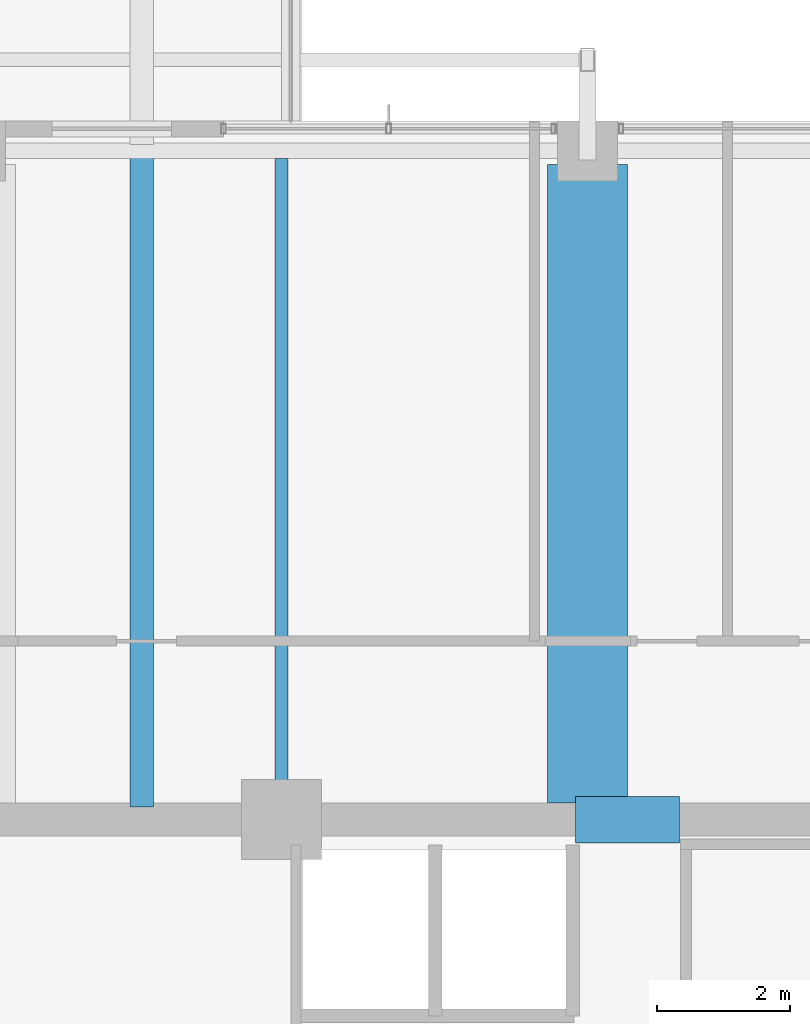
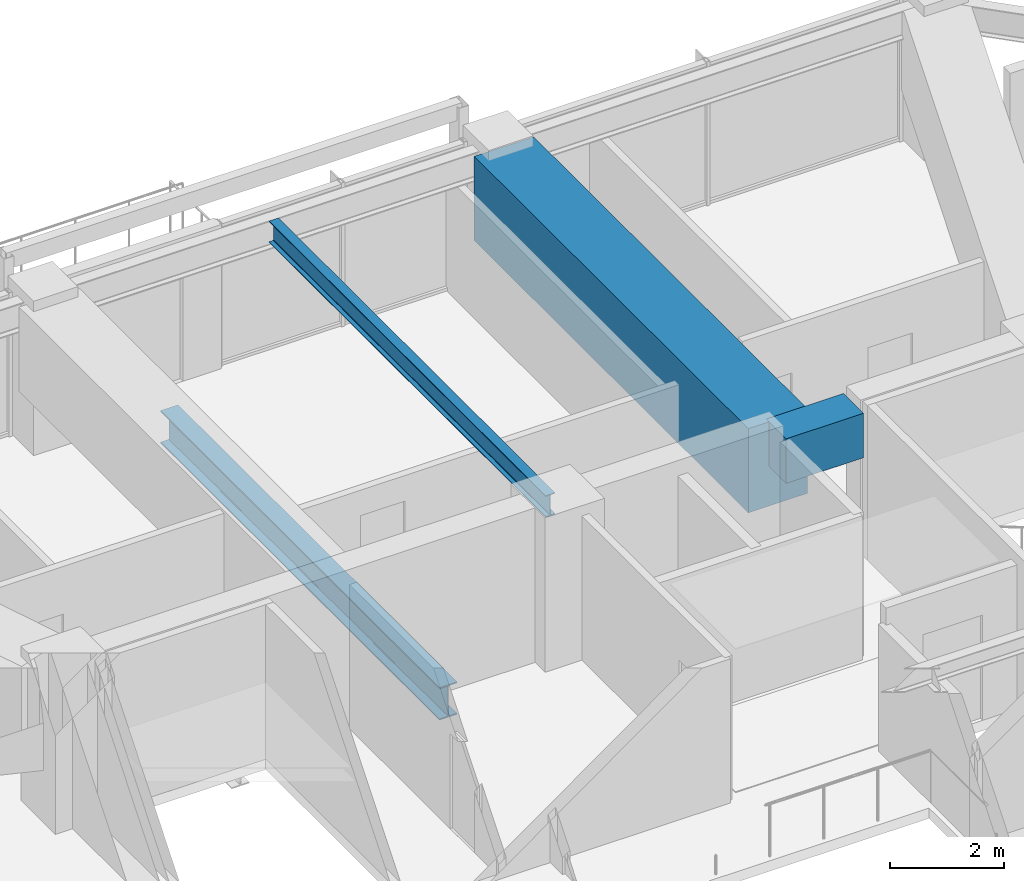
# One storey, part 19 of 37: 4 beams.
"""IFC4 building model written with IfcOpenShell, lengths in metres."""

from ifc_helpers import new_model, si_unit, direction, frame, origin, origin_2d, place, context, subcontext, project, spatial, rectangle, i_section, extrude, material, material_profile, profile_set, type_object, element, save


model = new_model("IFC4")

# Units and contexts
model_context = context("Model", 3, precision=1e-05, world=origin(), true_north=direction((0.0, 1.0)))
body_context = subcontext(model_context, "Body", "Model", "MODEL_VIEW")
ifc_project = project(units=[si_unit("LENGTHUNIT", "METRE"), si_unit("AREAUNIT", "SQUARE_METRE"), si_unit("VOLUMEUNIT", "CUBIC_METRE"), si_unit("PLANEANGLEUNIT", "RADIAN"), si_unit("MASSUNIT", "GRAM", prefix="KILO")], contexts=[model_context])

# Site, building, storey
site_placement = place(None, origin())
site = spatial("IfcSite", under=ifc_project, at=site_placement, CompositionType="ELEMENT")
building_placement = place(site_placement, origin())
building = spatial("IfcBuilding", under=site, at=building_placement, Name="Kolvaren Belvedere", CompositionType="ELEMENT")
storey_placement = place(building_placement, frame((0.0, 0.0, 186.60009765625)))
storey = spatial("IfcBuildingStorey", under=building, at=storey_placement, Name="L54", CompositionType="ELEMENT", Elevation=186.60009765625)

# Beams
ifc_material_1 = material(Name="Structural steel ASTM A992 Grade 50", Category="steel")
ifc_material_profile_1 = material_profile(ifc_material_1, i_section(OverallWidth=0.35498046875, OverallDepth=0.696044921875, WebThickness=0.015380859375, FlangeThickness=0.02490234375, FilletRadius=0.02197265625, at=origin_2d()), Name="W27X146")
ifc_profile_set_1 = profile_set([ifc_material_profile_1], Name="Structural steel ASTM A992 Grade 50")
beam_type_1 = type_object("IfcBeamType", Name="BM-GIRD-W27X146", PredefinedType="BEAM", material=ifc_profile_set_1)
beam_1_placement = place(storey_placement, frame((-2.10009765625, 10.090087890625, -0.568115234375), z_axis=(0.0, 1.0, 0.0), x_axis=(-1.0, 0.0, 0.0)))
element("IfcBeam", 1, at=beam_1_placement, inside=storey, type_object=beam_type_1, Name="L54 Balcony Interior Back-Span Girder SPIRAL-08-N-2", PredefinedType="BEAM", context=body_context, shape_type="SweptSolid", body=[
    extrude(i_section(OverallWidth=0.35498046875, OverallDepth=0.696044921875, WebThickness=0.015380859375, FlangeThickness=0.02490234375, FilletRadius=0.02197265625, at=origin_2d()), origin(), (0.0, 0.0, 1.0), 9.764892578125),
])
ifc_material_2 = material(Name="Structural steel ASTM A992 Grade 50", Category="steel")
ifc_material_profile_2 = material_profile(ifc_material_2, i_section(OverallWidth=0.19091796875, OverallDepth=0.4599609375, WebThickness=0.010009765625, FlangeThickness=0.01611328125, FilletRadius=0.014892578125, at=origin_2d()), Name="W18X55")
ifc_profile_set_2 = profile_set([ifc_material_profile_2], Name="Structural steel ASTM A992 Grade 50")
beam_type_2 = type_object("IfcBeamType", Name="BM-JOIST-W18X55", PredefinedType="BEAM", material=ifc_profile_set_2)
beam_2_placement = place(storey_placement, frame((0.0, 10.14990234375, 2.849853515625), z_axis=(0.0, 1.0, 0.0), x_axis=(-1.0, 0.0, 0.0)))
element("IfcBeam", 2, at=beam_2_placement, inside=storey, type_object=beam_type_2, Name="L54 North Centre Floor Beam", PredefinedType="BEAM", context=body_context, shape_type="SweptSolid", body=[
    extrude(i_section(OverallWidth=0.19091796875, OverallDepth=0.4599609375, WebThickness=0.010009765625, FlangeThickness=0.01611328125, FilletRadius=0.014892578125, at=origin_2d()), origin(), (0.0, 0.0, 1.0), 9.685546875),
])
ifc_material_3 = material(Name="Concrete C60/75", Category="concrete")
ifc_material_profile_3 = material_profile(ifc_material_3, rectangle(XDim=0.699951171875, YDim=0.949951171875, at=origin_2d()), Name="RC 700X950")
ifc_profile_set_3 = profile_set([ifc_material_profile_3], Name="Concrete C60/75")
beam_type_3 = type_object("IfcBeamType", Name="BM-LINT-950", PredefinedType="LINTEL", material=ifc_profile_set_3)
beam_3_placement = place(storey_placement, frame((4.419921875, 9.89990234375, 2.60498046875), z_axis=(1.0, 0.0, 0.0), x_axis=(0.0, 1.0, 0.0)))
element("IfcBeam", 3, at=beam_3_placement, inside=storey, type_object=beam_type_3, Name="L54 North Core Coupling Lintel", PredefinedType="LINTEL", context=body_context, shape_type="SweptSolid", body=[
    extrude(rectangle(XDim=0.699951171875, YDim=0.949951171875, at=origin_2d()), origin(), (0.0, 0.0, 1.0), 1.56005859375),
])
ifc_material_4 = material(Name="Concrete C50/60", Category="concrete")
ifc_material_profile_4 = material_profile(ifc_material_4, rectangle(XDim=1.199951171875, YDim=1.800048828125, at=origin_2d()), Name="RC 1200X1800")
ifc_profile_set_4 = profile_set([ifc_material_profile_4], Name="Concrete C50/60")
beam_type_4 = type_object("IfcBeamType", Name="BM-TG-1800", PredefinedType="BEAM", material=ifc_profile_set_4)
beam_4_placement = place(storey_placement, frame((4.60009765625, 10.14990234375, 2.179931640625), z_axis=(0.0, 1.0, 0.0), x_axis=(-1.0, 0.0, 0.0)))
element("IfcBeam", 4, at=beam_4_placement, inside=storey, type_object=beam_type_4, Name="L54 North Radial Girder P", PredefinedType="BEAM", context=body_context, shape_type="SweptSolid", body=[
    extrude(rectangle(XDim=1.199951171875, YDim=1.800048828125, at=origin_2d()), origin(), (0.0, 0.0, 1.0), 9.59765625),
])

save(model, "model.ifc")
